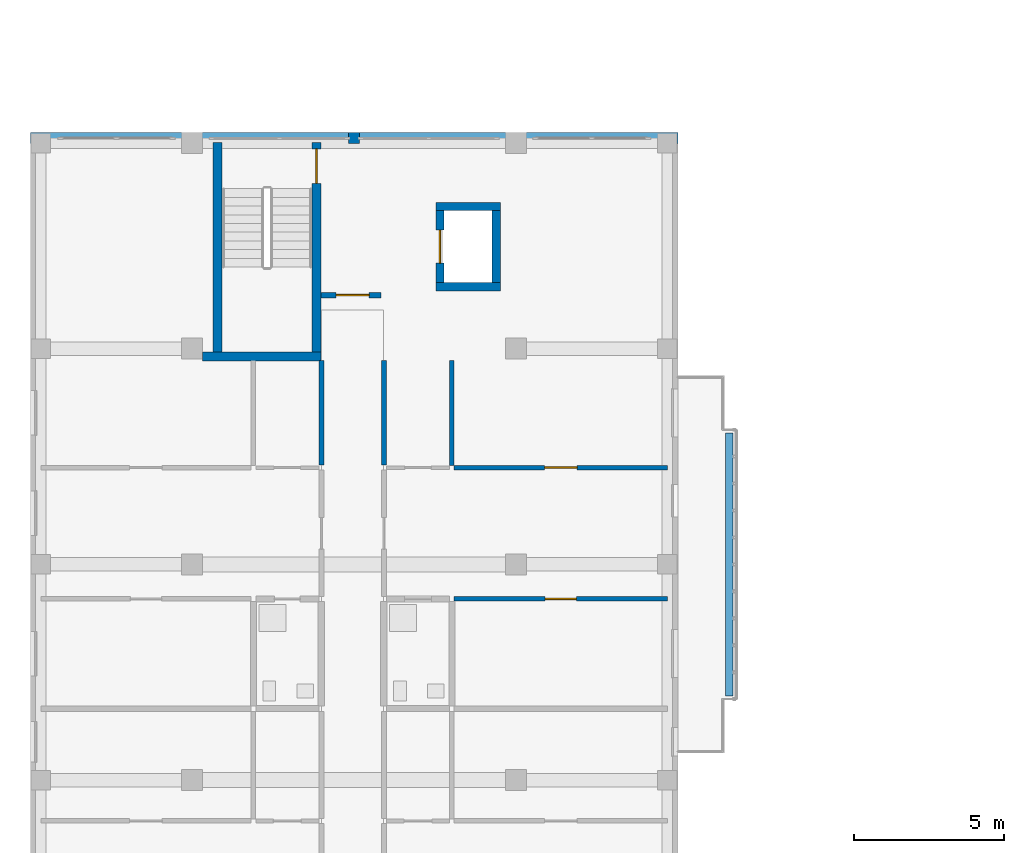
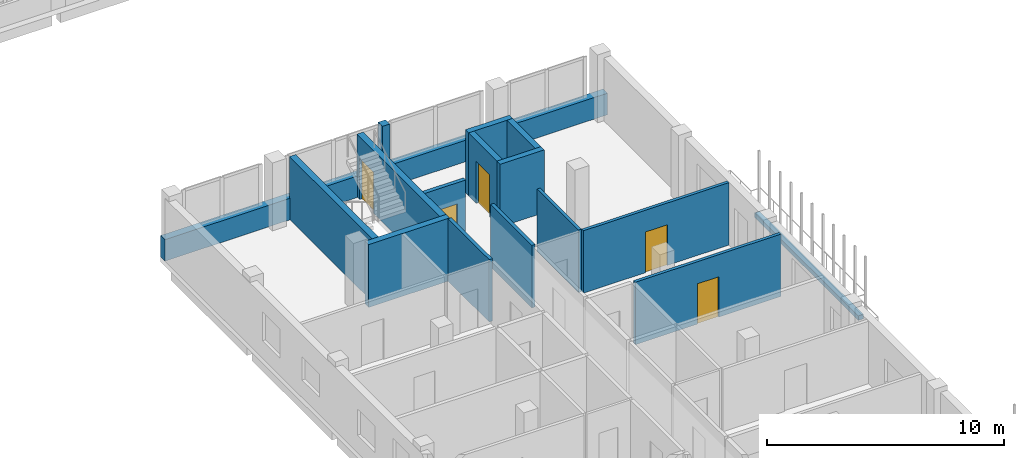
# One storey, part 39 of 73: 16 walls, 5 doors, 5 openings.
"""IFC4 building model written with IfcOpenShell, lengths in metres."""

from ifc_helpers import new_model, si_unit, derived_unit, direction, frame, frame_2d, origin, place, context, subcontext, project, spatial, rectangle, extrude, material, layer, layer_set, type_object, element, fill, save


model = new_model("IFC4")

# Units and contexts
model_context = context("Model", 3, precision=1e-05, world=origin(), true_north=direction((0.0, 1.0)))
body_context = subcontext(model_context, "Body", "Model", "MODEL_VIEW")
ifc_project = project(units=[si_unit("LENGTHUNIT", "METRE"), si_unit("AREAUNIT", "SQUARE_METRE"), si_unit("VOLUMEUNIT", "CUBIC_METRE"), si_unit("PLANEANGLEUNIT", "RADIAN"), si_unit("MASSUNIT", "GRAM", prefix="KILO"), derived_unit("THERMALTRANSMITTANCEUNIT", [(si_unit("MASSUNIT", "GRAM", prefix="KILO"), 1), (si_unit("TIMEUNIT", "SECOND"), -3), (si_unit("THERMODYNAMICTEMPERATUREUNIT", "KELVIN"), -1)])], contexts=[model_context])

# Site, building, storey
site_placement = place(None, origin())
site = spatial("IfcSite", under=ifc_project, at=site_placement, CompositionType="ELEMENT")
building_placement = place(site_placement, origin())
building = spatial("IfcBuilding", under=site, at=building_placement, Name="Ochrekiln Boulevard Commons", CompositionType="ELEMENT")
storey_placement = place(building_placement, frame((0.0, 0.0, 8.574951171875)))
storey = spatial("IfcBuildingStorey", under=building, at=storey_placement, Name="L02", CompositionType="ELEMENT", Elevation=8.574951171875)

# Walls
ifc_material_1 = material(Name="Iron-spot brown clinker brick masonry ASTM C216 Grade SW", Category="masonry")
ifc_layer_1 = layer(ifc_material_1, 0.364990234375)
ifc_layer_set_1 = layer_set([ifc_layer_1], Name="Iron-spot brown clinker brick masonry ASTM C216 Grade SW")
wall_type_1 = type_object("IfcWallType", Name="WL-EXT-IRON-365", PredefinedType="SOLIDWALL", material=ifc_layer_set_1)
wall_1_placement = place(storey_placement, frame((0.0, 50.217529296875, 0.0), z_axis=(0.0, 0.0, 1.0), x_axis=(1.0, 0.0, 0.0)))
element("IfcWall", 1, at=wall_1_placement, inside=storey, type_object=wall_type_1, Name="Block D L02 Courtyard Gable Sill Wall", PredefinedType="SOLIDWALL", context=body_context, shape_type="SweptSolid", body=[
    extrude(rectangle(XDim=21.60009765625, YDim=0.364990234375, at=frame_2d((10.800048828125, 0.0))), origin(), (0.0, 0.0, 1.0), 1.110107421875),
])
wall_2_placement = place(storey_placement, frame((10.6201171875, 50.217529296875, 1.110107421875), z_axis=(0.0, 0.0, 1.0), x_axis=(1.0, 0.0, 0.0)))
element("IfcWall", 2, at=wall_2_placement, inside=storey, type_object=wall_type_1, Name="Block D L02 Courtyard Gable Mullion Pier", PredefinedType="SOLIDWALL", context=body_context, shape_type="SweptSolid", body=[
    extrude(rectangle(XDim=0.35986328125, YDim=0.364990234375, at=frame_2d((0.179931640625, 0.0))), origin(), (0.0, 0.0, 1.0), 2.1298828125),
])
ifc_material_2 = material(Name="Glazed architectural terracotta ASTM C1405", Category="masonry")
ifc_layer_2 = layer(ifc_material_2, 0.25)
ifc_layer_set_2 = layer_set([ifc_layer_2], Name="Glazed architectural terracotta ASTM C1405")
wall_type_2 = type_object("IfcWallType", Name="WL-PLN-250", PredefinedType="PARAPET", material=ifc_layer_set_2)
wall_3_placement = place(storey_placement, frame((23.320068359375, 31.610107421875, 0.0), z_axis=(0.0, 0.0, 1.0), x_axis=(0.0, 1.0, 0.0)))
element("IfcWall", 3, at=wall_3_placement, inside=storey, type_object=wall_type_2, Name="Block D L02 Balcony Terracotta Planter Box 2", PredefinedType="PARAPET", context=body_context, shape_type="SweptSolid", body=[
    extrude(rectangle(XDim=8.77978515625, YDim=0.25, at=frame_2d((4.389892578125, 0.0))), origin(), (0.0, 0.0, 1.0), 0.22998046875),
])
ifc_material_3 = material(Name="Fire-rated Type X gypsum board on steel studs", Category="steel")
ifc_layer_3 = layer(ifc_material_3, 0.1650390625)
ifc_layer_set_3 = layer_set([ifc_layer_3], Name="Fire-rated Type X gypsum board on steel studs")
wall_type_3 = type_object("IfcWallType", Name="WL-PT-CORR-165", PredefinedType="PARTITIONING", material=ifc_layer_set_3)
for number, where, z_axis, x_axis, name in (
    (4, (9.7099609375, 39.306884765625, 0.0), (0.0, 0.0, 1.0), (0.0, 1.0, 0.0), "L02 Interior Wall W-PC165"),
    (5, (11.7900390625, 39.306884765625, 0.0), (0.0, 0.0, 1.0), (0.0, 1.0, 0.0), "L02 Interior Wall W-PC165"),
):
    element("IfcWall", number, at=place(storey_placement, frame(where, z_axis=z_axis, x_axis=x_axis)), inside=storey, type_object=wall_type_3, Name=name, PredefinedType="PARTITIONING", context=body_context, shape_type="SweptSolid", body=[
        extrude(rectangle(XDim=3.4931640625, YDim=0.1650390625, at=frame_2d((1.74658203125, 0.0))), origin(), (0.0, 0.0, 1.0), 3.219970703125),
    ])

# Wall, opening, door
ifc_layer_4 = layer(ifc_material_3, 0.18994140625)
ifc_layer_set_4 = layer_set([ifc_layer_4], Name="Fire-rated Type X gypsum board on steel studs")
wall_type_4 = type_object("IfcWallType", Name="WL-PT-LBY-190", PredefinedType="PARTITIONING", material=ifc_layer_set_4)
wall_4_placement = place(storey_placement, frame((9.699951171875, 44.97998046875, 0.0), z_axis=(0.0, 0.0, 1.0), x_axis=(1.0, 0.0, 0.0)))
wall_4 = element("IfcWall", 6, at=wall_4_placement, inside=storey, type_object=wall_type_4, Name="L02 Interior Wall W-PL190", PredefinedType="PARTITIONING", context=body_context, shape_type="SweptSolid", body=[
    extrude(rectangle(XDim=2.0, YDim=0.18994140625, at=frame_2d((1.0, 0.0))), origin(), (0.0, 0.0, 1.0), 3.219970703125),
])
opening_1_placement = place(wall_4_placement, frame((0.5, 0.0, 0.0)))
opening_1 = element("IfcOpeningElement", 7, at=opening_1_placement, cuts=wall_4, Name="Opening D-L02-398", PredefinedType="OPENING", context=body_context, shape_type="SweptSolid", body=[
    extrude(rectangle(XDim=1.10009765625, YDim=2.1201171875, at=frame_2d((0.550048828125, 1.06005859375))), frame((0.0, 0.10498046875, 0.0), z_axis=(0.0, -1.0, 0.0), x_axis=(1.0, 0.0, 0.0)), (0.0, 0.0, 1.0), 0.2099609375),
])
ifc_material_4 = material(Name="Hollow metal fire-rated steel door assembly", Category="steel")
door_type_1 = type_object("IfcDoorType", Name="DR-LOBBY-60", OperationType="NOTDEFINED", PredefinedType="DOOR", material=ifc_material_4)
door_1_placement = place(opening_1_placement, origin())
door_1 = element("IfcDoor", 8, at=door_1_placement, inside=storey, type_object=door_type_1, Name="L02 Interior Door to Passenger Elevator Lobby", OperationType="SINGLE_SWING_RIGHT", OverallHeight=2.1201171875, OverallWidth=1.10009765625, PredefinedType="DOOR", context=body_context, shape_type="SweptSolid", body=[
    extrude(rectangle(XDim=1.10009765625, YDim=2.1201171875, at=frame_2d((0.550048828125, 1.06005859375))), frame((0.0, 0.02490234375, 0.0), z_axis=(0.0, -1.0, 0.0), x_axis=(1.0, 0.0, 0.0)), (0.0, 0.0, 1.0), 0.050048828125),
])
fill(opening_1, door_1)

ifc_layer_5 = layer(ifc_material_3, 0.14990234375)
ifc_layer_set_5 = layer_set([ifc_layer_5], Name="Fire-rated Type X gypsum board on steel studs")
wall_type_5 = type_object("IfcWallType", Name="WL-PT-STD-150", PredefinedType="PARTITIONING", material=ifc_layer_set_5)
wall_5_placement = place(storey_placement, frame((14.139892578125, 34.846923828125, 0.0), z_axis=(0.0, 0.0, 1.0), x_axis=(1.0, 0.0, 0.0)))
wall_5 = element("IfcWall", 9, at=wall_5_placement, inside=storey, type_object=wall_type_5, Name="L02 Interior Wall W-PS150", PredefinedType="PARTITIONING", context=body_context, shape_type="SweptSolid", body=[
    extrude(rectangle(XDim=7.110107421875, YDim=0.14990234375, at=frame_2d((3.55517578125, 0.0))), origin(), (0.0, 0.0, 1.0), 3.219970703125),
])
opening_2_placement = place(wall_5_placement, frame((3.034912109375, 0.0, 0.0)))
opening_2 = element("IfcOpeningElement", 10, at=opening_2_placement, cuts=wall_5, Name="Opening D-L02-428", PredefinedType="OPENING", context=body_context, shape_type="SweptSolid", body=[
    extrude(rectangle(XDim=1.0400390625, YDim=2.080078125, at=frame_2d((0.52001953125, 1.0400390625))), frame((0.0, 0.0849609375, 0.0), z_axis=(0.0, -1.0, 0.0), x_axis=(1.0, 0.0, 0.0)), (0.0, 0.0, 1.0), 0.169921875),
])
ifc_material_5 = material(Name="Solid core architectural oak door leaf")
door_type_2 = type_object("IfcDoorType", Name="DR-INT-BED-104", OperationType="NOTDEFINED", PredefinedType="DOOR", material=ifc_material_5)
door_2_placement = place(opening_2_placement, frame((1.0400390625, 0.0, 0.0), z_axis=(0.0, 0.0, 1.0), x_axis=(-1.0, 0.0, 0.0)))
door_2 = element("IfcDoor", 11, at=door_2_placement, inside=storey, type_object=door_type_2, Name="L02 Interior Door to Primary Apartment Bedroom", OperationType="SINGLE_SWING_RIGHT", OverallHeight=2.080078125, OverallWidth=1.0400390625, PredefinedType="DOOR", context=body_context, shape_type="SweptSolid", body=[
    extrude(rectangle(XDim=1.0400390625, YDim=2.080078125, at=frame_2d((0.52001953125, 1.0400390625))), frame((0.0, 0.02490234375, 0.0), z_axis=(0.0, -1.0, 0.0), x_axis=(1.0, 0.0, 0.0)), (0.0, 0.0, 1.0), 0.050048828125),
])
fill(opening_2, door_2)

wall_6_placement = place(storey_placement, frame((14.139892578125, 39.22705078125, 0.0), z_axis=(0.0, 0.0, 1.0), x_axis=(1.0, 0.0, 0.0)))
wall_6 = element("IfcWall", 12, at=wall_6_placement, inside=storey, type_object=wall_type_5, Name="L02 Interior Wall W-PS150", PredefinedType="PARTITIONING", context=body_context, shape_type="SweptSolid", body=[
    extrude(rectangle(XDim=7.110107421875, YDim=0.14990234375, at=frame_2d((3.55517578125, 0.0))), origin(), (0.0, 0.0, 1.0), 3.219970703125),
])
opening_3_placement = place(wall_6_placement, frame((3.014892578125, 0.0, 0.0)))
opening_3 = element("IfcOpeningElement", 13, at=opening_3_placement, cuts=wall_6, Name="Opening D-L02-429", PredefinedType="OPENING", context=body_context, shape_type="SweptSolid", body=[
    extrude(rectangle(XDim=1.080078125, YDim=2.10009765625, at=frame_2d((0.5400390625, 1.050048828125))), frame((0.0, 0.0849609375, 0.0), z_axis=(0.0, -1.0, 0.0), x_axis=(1.0, 0.0, 0.0)), (0.0, 0.0, 1.0), 0.169921875),
])
door_type_3 = type_object("IfcDoorType", Name="DR-INT-BED-108", OperationType="NOTDEFINED", PredefinedType="DOOR", material=ifc_material_5)
door_3_placement = place(opening_3_placement, origin())
door_3 = element("IfcDoor", 14, at=door_3_placement, inside=storey, type_object=door_type_3, Name="L02 Interior Door to Secondary Apartment Bedroom", OperationType="SINGLE_SWING_LEFT", OverallHeight=2.10009765625, OverallWidth=1.080078125, PredefinedType="DOOR", context=body_context, shape_type="SweptSolid", body=[
    extrude(rectangle(XDim=1.080078125, YDim=2.10009765625, at=frame_2d((0.5400390625, 1.050048828125))), frame((0.0, 0.02490234375, 0.0), z_axis=(0.0, -1.0, 0.0), x_axis=(1.0, 0.0, 0.0)), (0.0, 0.0, 1.0), 0.050048828125),
])
fill(opening_3, door_3)

# Walls
wall_7_placement = place(storey_placement, frame((14.06005859375, 39.302001953125, 0.0), z_axis=(0.0, 0.0, 1.0), x_axis=(0.0, 1.0, 0.0)))
element("IfcWall", 15, at=wall_7_placement, inside=storey, type_object=wall_type_5, Name="L02 Interior Wall W-PS150", PredefinedType="PARTITIONING", context=body_context, shape_type="SweptSolid", body=[
    extrude(rectangle(XDim=3.498046875, YDim=0.14990234375, at=frame_2d((1.7490234375, 0.0))), origin(), (0.0, 0.0, 1.0), 3.219970703125),
])
ifc_material_6 = material(Name="Concrete C40/50", Category="concrete")
ifc_layer_6 = layer(ifc_material_6, 0.27490234375)
ifc_layer_set_6 = layer_set([ifc_layer_6], Name="Concrete C40/50")
wall_type_6 = type_object("IfcWallType", Name="WL-SH-275", PredefinedType="SHEAR", material=ifc_layer_set_6)
for number, where, z_axis, x_axis, name in (
    (16, (13.52490234375, 45.262451171875, 0.0), (0.0, 0.0, 1.0), (1.0, 0.0, 0.0), "Elevator LP-D2 L02 Hoistway Shear Wall"),
    (17, (13.52490234375, 47.9375, 0.0), (0.0, 0.0, 1.0), (1.0, 0.0, 0.0), "Elevator LP-D2 L02 Hoistway Shear Wall"),
):
    element("IfcWall", number, at=place(storey_placement, frame(where, z_axis=z_axis, x_axis=x_axis)), inside=storey, type_object=wall_type_6, Name=name, PredefinedType="SHEAR", context=body_context, shape_type="SweptSolid", body=[
        extrude(rectangle(XDim=2.150146484375, YDim=0.27490234375, at=frame_2d((1.0751953125, 0.0))), origin(), (0.0, 0.0, 1.0), 3.239990234375),
    ])

# Wall, opening, door
wall_8_placement = place(storey_placement, frame((13.66259765625, 45.39990234375, 0.0), z_axis=(0.0, 0.0, 1.0), x_axis=(0.0, 1.0, 0.0)))
wall_8 = element("IfcWall", 18, at=wall_8_placement, inside=storey, type_object=wall_type_6, Name="Elevator LP-D2 L02 Hoistway Shear Wall", PredefinedType="SHEAR", context=body_context, shape_type="SweptSolid", body=[
    extrude(rectangle(XDim=2.400146484375, YDim=0.27490234375, at=frame_2d((1.2001953125, 0.0))), origin(), (0.0, 0.0, 1.0), 3.239990234375),
])
opening_4_placement = place(wall_8_placement, frame((0.64990234375, 0.0, 0.0)))
opening_4 = element("IfcOpeningElement", 19, at=opening_4_placement, cuts=wall_8, Name="Opening LD-LP-D2-L02", PredefinedType="OPENING", context=body_context, shape_type="SweptSolid", body=[
    extrude(rectangle(XDim=1.10009765625, YDim=2.14990234375, at=frame_2d((0.550048828125, 1.074951171875))), frame((0.0, 0.1474609375, 0.0), z_axis=(0.0, -1.0, 0.0), x_axis=(1.0, 0.0, 0.0)), (0.0, 0.0, 1.0), 0.294921875),
])
ifc_material_7 = material(Name="Brushed stainless steel 316 elevator cab and doors", Category="steel")
door_type_4 = type_object("IfcDoorType", Name="DR-LIFT-LD90", OperationType="SLIDING_TO_LEFT", PredefinedType="DOOR", material=ifc_material_7)
door_4_placement = place(opening_4_placement, origin())
door_4 = element("IfcDoor", 20, at=door_4_placement, inside=storey, type_object=door_type_4, Name="Elevator LP-D2 L02 Sliding Landing Door LD-LP-D2-L02", OperationType="SLIDING_TO_LEFT", OverallHeight=2.14990234375, OverallWidth=1.10009765625, PredefinedType="DOOR", context=body_context, shape_type="SweptSolid", body=[
    extrude(rectangle(XDim=1.10009765625, YDim=2.14990234375, at=frame_2d((0.550048828125, 1.074951171875))), frame((0.0, 0.02490234375, 0.0), z_axis=(0.0, -1.0, 0.0), x_axis=(1.0, 0.0, 0.0)), (0.0, 0.0, 1.0), 0.050048828125),
])
fill(opening_4, door_4)

# Walls
wall_9_placement = place(storey_placement, frame((15.53759765625, 45.39990234375, 0.0), z_axis=(0.0, 0.0, 1.0), x_axis=(0.0, 1.0, 0.0)))
element("IfcWall", 21, at=wall_9_placement, inside=storey, type_object=wall_type_6, Name="Elevator LP-D2 L02 Hoistway Shear Wall", PredefinedType="SHEAR", context=body_context, shape_type="SweptSolid", body=[
    extrude(rectangle(XDim=2.400146484375, YDim=0.27490234375, at=frame_2d((1.2001953125, 0.0))), origin(), (0.0, 0.0, 1.0), 3.239990234375),
])
ifc_layer_7 = layer(ifc_material_6, 0.300048828125)
ifc_layer_set_7 = layer_set([ifc_layer_7], Name="Concrete C40/50")
wall_type_7 = type_object("IfcWallType", Name="WL-SH-300", PredefinedType="SHEAR", material=ifc_layer_set_7)
wall_10_placement = place(storey_placement, frame((5.75, 42.929931640625, 0.0), z_axis=(0.0, 0.0, 1.0), x_axis=(1.0, 0.0, 0.0)))
element("IfcWall", 22, at=wall_10_placement, inside=storey, type_object=wall_type_7, Name="Stair ST-D2 L02 Core Shear Wall S", PredefinedType="SHEAR", context=body_context, shape_type="SweptSolid", body=[
    extrude(rectangle(XDim=3.949951171875, YDim=0.300048828125, at=frame_2d((1.97509765625, 0.0))), origin(), (0.0, 0.0, 1.0), 3.239990234375),
])
wall_11_placement = place(storey_placement, frame((6.25, 43.080078125, 0.0), z_axis=(0.0, 0.0, 1.0), x_axis=(0.0, 1.0, 0.0)))
element("IfcWall", 23, at=wall_11_placement, inside=storey, type_object=wall_type_7, Name="Stair ST-D2 L02 Core Shear Wall W", PredefinedType="SHEAR", context=body_context, shape_type="SweptSolid", body=[
    extrude(rectangle(XDim=7.0, YDim=0.300048828125, at=frame_2d((3.5, 0.0))), origin(), (0.0, 0.0, 1.0), 3.239990234375),
])

# Wall, opening, door
wall_12_placement = place(storey_placement, frame((9.550048828125, 43.080078125, 0.0), z_axis=(0.0, 0.0, 1.0), x_axis=(0.0, 1.0, 0.0)))
wall_12 = element("IfcWall", 24, at=wall_12_placement, inside=storey, type_object=wall_type_7, Name="Stair ST-D2 L02 Core Shear Wall E", PredefinedType="SHEAR", context=body_context, shape_type="SweptSolid", body=[
    extrude(rectangle(XDim=7.0, YDim=0.300048828125, at=frame_2d((3.5, 0.0))), origin(), (0.0, 0.0, 1.0), 3.239990234375),
])
opening_5_placement = place(wall_12_placement, frame((5.625, 0.0, 0.0)))
opening_5 = element("IfcOpeningElement", 25, at=opening_5_placement, cuts=wall_12, Name="Opening D-L02-ST-D2", PredefinedType="OPENING", context=body_context, shape_type="SweptSolid", body=[
    extrude(rectangle(XDim=1.14990234375, YDim=2.1201171875, at=frame_2d((0.574951171875, 1.06005859375))), frame((0.0, 0.159912109375, 0.0), z_axis=(0.0, -1.0, 0.0), x_axis=(1.0, 0.0, 0.0)), (0.0, 0.0, 1.0), 0.320068359375),
])
door_type_5 = type_object("IfcDoorType", Name="DR-STAIR-90", OperationType="NOTDEFINED", PredefinedType="DOOR", material=ifc_material_4)
door_5_placement = place(opening_5_placement, origin())
door_5 = element("IfcDoor", 26, at=door_5_placement, inside=storey, type_object=door_type_5, Name="Enclosed Exit Stair ST-D2 L02 Rated Door", OperationType="SINGLE_SWING_RIGHT", OverallHeight=2.1201171875, OverallWidth=1.14990234375, PredefinedType="DOOR", context=body_context, shape_type="SweptSolid", body=[
    extrude(rectangle(XDim=1.14990234375, YDim=2.1201171875, at=frame_2d((0.574951171875, 1.06005859375))), frame((0.0, 0.02490234375, 0.0), z_axis=(0.0, -1.0, 0.0), x_axis=(1.0, 0.0, 0.0)), (0.0, 0.0, 1.0), 0.050048828125),
])
fill(opening_5, door_5)

save(model, "model.ifc")
